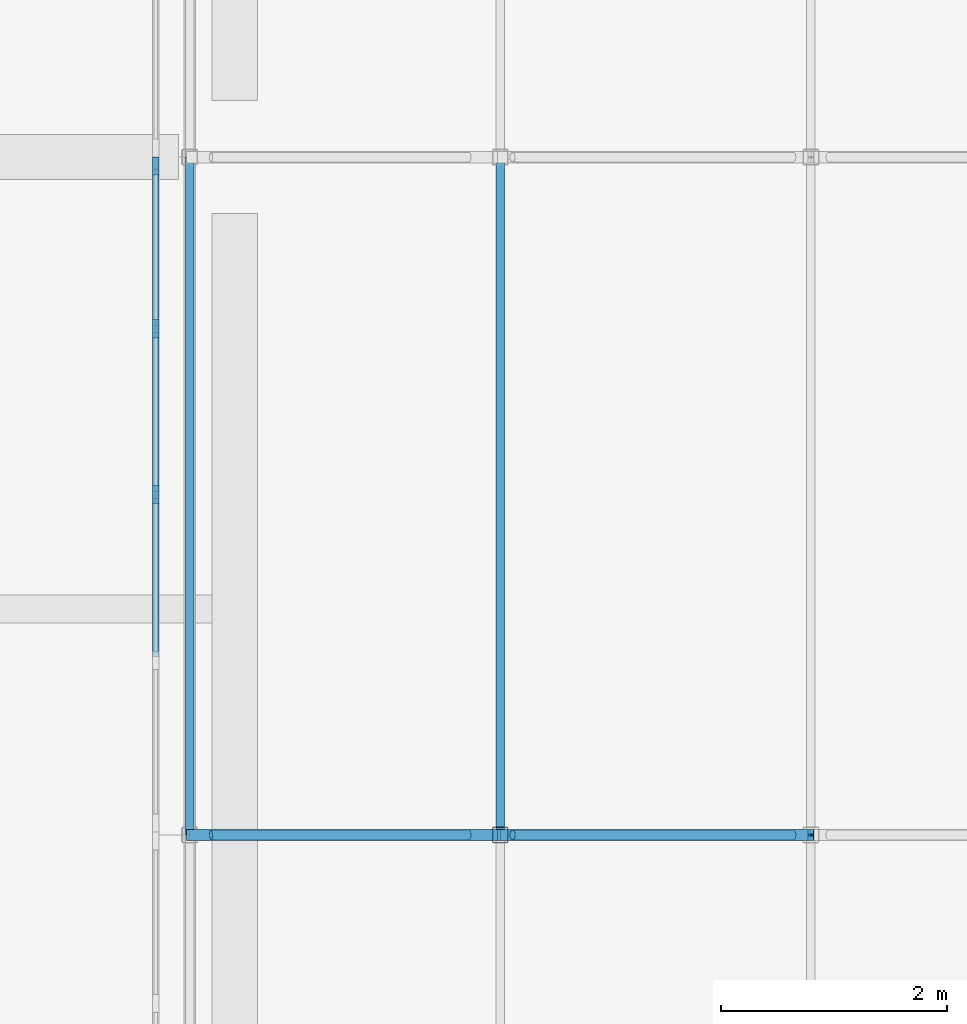
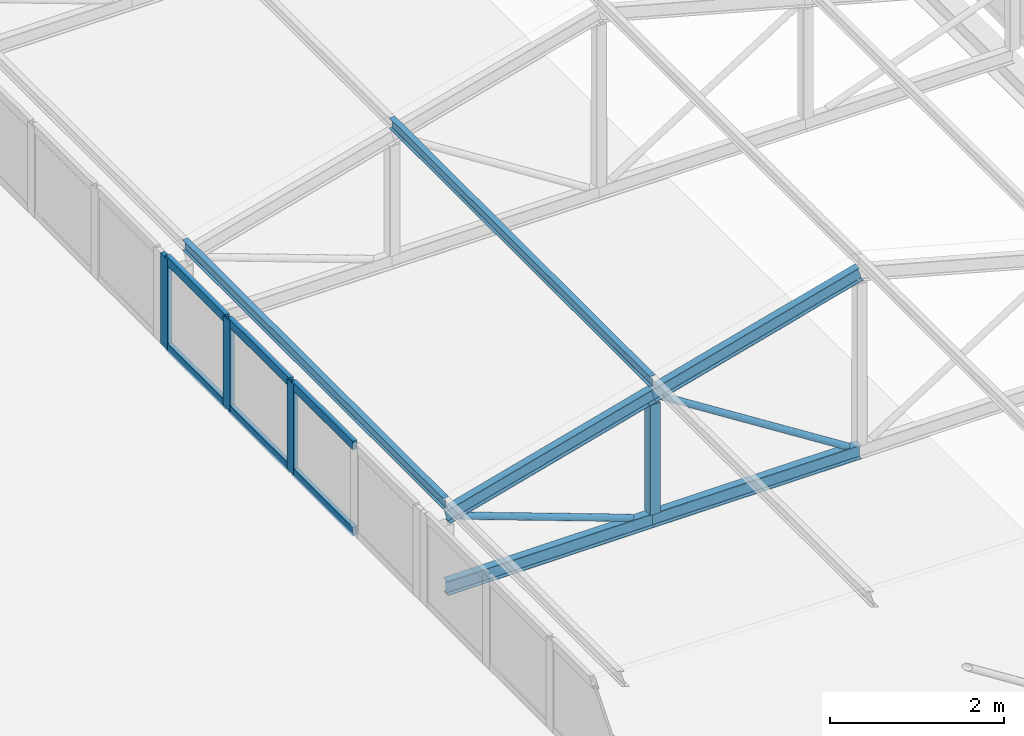
# One storey, part 29 of 94: 18 members, 1 element without a shape of its own.
"""IFC4 building model written with IfcOpenShell, lengths in metres."""

import ifcopenshell
import ifcopenshell.guid

model = None  # the IFC model being written
_history = None  # IfcOwnerHistory: only IFC2X3 demands one
_inside = {}  # id of a spatial element -> (the spatial element, [elements in it])
_under = {}  # id of a project, library or spatial element -> (it, [spatial elements below it])
_declared = {}  # id of a project -> (the project, [libraries it declares])
_typed = {}  # id of a type object -> (the type object, [elements of that type])
_made_of = {}  # id of a material, layer set ... -> (it, [elements and type objects made of it])


def new_model(schema):
    """Start an empty IFC model of exactly this schema.

    Asked for "IFC4X3", IfcOpenShell would pick the latest addendum, in which some entities
    have other attributes; the version numbers below select the first issue.
    IFC2X3 requires an IfcOwnerHistory on every rooted entity: one is made here for all.
    """
    global model, _history
    if schema == "IFC4X3":
        model = ifcopenshell.file(schema_version=(4, 3, 0, 0))
    else:
        model = ifcopenshell.file(schema=schema)
    _inside.clear()
    _under.clear()
    _declared.clear()
    _typed.clear()
    _made_of.clear()
    _history = None
    if model.schema == "IFC2X3":
        org = make("IfcOrganization", Name="unknown")
        user = make(
            "IfcPersonAndOrganization",
            ThePerson=make("IfcPerson", FamilyName="unknown"),
            TheOrganization=org,
        )
        app = make(
            "IfcApplication",
            ApplicationDeveloper=org,
            Version="unknown",
            ApplicationFullName="unknown",
            ApplicationIdentifier="unknown",
        )
        _history = make(
            "IfcOwnerHistory",
            OwningUser=user,
            OwningApplication=app,
            ChangeAction="ADDED",
            CreationDate=0,
        )
    return model


def make(cls, **values):
    """One entity of the class cls with the attributes given. An attribute that is None is left unset."""
    return model.create_entity(
        cls, **{name: value for name, value in values.items() if value is not None}
    )


def rooted(cls, **values):
    """An entity with a GlobalId (a new one), such as an element, a storey or a relation."""
    return make(cls, GlobalId=ifcopenshell.guid.new(), OwnerHistory=_history, **values)


def si_unit(unit_type, name, prefix=None):
    """IfcSIUnit, for example si_unit("LENGTHUNIT", "METRE", prefix="MILLI")."""
    return make("IfcSIUnit", UnitType=unit_type, Prefix=prefix, Name=name)


def assignment(units):
    """IfcUnitAssignment: the units of a project."""
    return None if units is None else make("IfcUnitAssignment", Units=units)


def point(xyz):
    """IfcCartesianPoint."""
    return None if xyz is None else make("IfcCartesianPoint", Coordinates=xyz)


def direction(xyz):
    """IfcDirection."""
    return None if xyz is None else make("IfcDirection", DirectionRatios=xyz)


def frame(location, z_axis=None, x_axis=None):
    """IfcAxis2Placement3D, a coordinate frame: its origin and axes. An axis left out is left unset."""
    return make(
        "IfcAxis2Placement3D",
        Location=point(location),
        Axis=direction(z_axis),
        RefDirection=direction(x_axis),
    )


def frame_2d(location, x_axis=None):
    """IfcAxis2Placement2D, a coordinate frame in the plane: its origin and x axis."""
    return make(
        "IfcAxis2Placement2D", Location=point(location), RefDirection=direction(x_axis)
    )


def origin():
    """The frame at (0, 0, 0) with its axes left unset."""
    return frame((0.0, 0.0, 0.0))


def origin_2d():
    """The frame at (0, 0) in the plane with its x axis left unset."""
    return frame_2d((0.0, 0.0))


def place(relative_to, where):
    """IfcLocalPlacement: puts the frame where relative to a parent placement (None: the world)."""
    return make(
        "IfcLocalPlacement", PlacementRelTo=relative_to, RelativePlacement=where
    )


def context(
    kind, dimensions, precision=None, world=None, true_north=None, identifier=None
):
    """IfcGeometricRepresentationContext, for example the 3D "Model" context."""
    return make(
        "IfcGeometricRepresentationContext",
        ContextIdentifier=identifier,
        ContextType=kind,
        CoordinateSpaceDimension=dimensions,
        Precision=precision,
        WorldCoordinateSystem=world,
        TrueNorth=true_north,
    )


def subcontext(parent, identifier, kind, view, scale=None):
    """IfcGeometricRepresentationSubContext, for example "Body" below "Model"."""
    return make(
        "IfcGeometricRepresentationSubContext",
        ContextIdentifier=identifier,
        ContextType=kind,
        ParentContext=parent,
        TargetScale=scale,
        TargetView=view,
    )


def project(units=None, contexts=None):
    """IfcProject with its units and contexts."""
    return rooted(
        "IfcProject",
        Name="project",
        RepresentationContexts=contexts,
        UnitsInContext=assignment(units),
    )


def spatial(cls, under=None, at=None, **own):
    """A site, building, storey or space (cls), placed at a placement, below another one or the project."""
    s = rooted(cls, ObjectPlacement=at, **own)
    if under is not None:
        _under.setdefault(under.id(), (under, []))[1].append(s)
    return s


def profile(cls, at=None, kind="AREA", **sizes):
    """A parametric profile (cls). Its sizes go by their IFC names, for example OverallWidth=200.0."""
    return make(cls, ProfileType=kind, Position=at, **sizes)


def rectangle(**sizes):
    """IfcRectangleProfileDef."""
    return profile("IfcRectangleProfileDef", **sizes)


def hollow_rectangle(**sizes):
    """IfcRectangleHollowProfileDef."""
    return profile("IfcRectangleHollowProfileDef", **sizes)


def hollow_circle(**sizes):
    """IfcCircleHollowProfileDef."""
    return profile("IfcCircleHollowProfileDef", **sizes)


def i_section(**sizes):
    """IfcIShapeProfileDef."""
    return profile("IfcIShapeProfileDef", **sizes)


def extrude(swept, where, along, depth):
    """IfcExtrudedAreaSolid: the profile swept, set in the frame where, extruded along a direction by depth."""
    return make(
        "IfcExtrudedAreaSolid",
        SweptArea=swept,
        Position=where,
        ExtrudedDirection=direction(along),
        Depth=depth,
    )


def shape(context_of_items, identifier, shape_type, items):
    """IfcShapeRepresentation: the items that make up one representation, for example the "Body"."""
    return make(
        "IfcShapeRepresentation",
        ContextOfItems=context_of_items,
        RepresentationIdentifier=identifier,
        RepresentationType=shape_type,
        Items=items,
    )


def material(Name=None, Category=None):
    """IfcMaterial."""
    return make("IfcMaterial", Name=Name, Category=Category)


def layer(
    of_material, thickness, ventilated=None, Name=None, Category=None, Priority=None
):
    """IfcMaterialLayer: one layer of a wall or slab, of a material (None: an air gap)."""
    return make(
        "IfcMaterialLayer",
        Material=of_material,
        LayerThickness=thickness,
        IsVentilated=ventilated,
        Name=Name,
        Category=Category,
        Priority=Priority,
    )


def layer_set(layers, Name=None):
    """IfcMaterialLayerSet."""
    return make("IfcMaterialLayerSet", MaterialLayers=layers, LayerSetName=Name)


def material_profile(
    of_material, cross_section, Name=None, Category=None, Priority=None
):
    """IfcMaterialProfile: a cross section and its material."""
    return make(
        "IfcMaterialProfile",
        Name=Name,
        Material=of_material,
        Profile=cross_section,
        Priority=Priority,
        Category=Category,
    )


def profile_set(profiles, Name=None, composite=None):
    """IfcMaterialProfileSet."""
    return make(
        "IfcMaterialProfileSet",
        Name=Name,
        MaterialProfiles=profiles,
        CompositeProfile=composite,
    )


def made_of(thing, what):
    """Note that an element or type object is made of a material, layer set ...; save() writes the relation."""
    if what is not None:
        _made_of.setdefault(what.id(), (what, []))[1].append(thing)
    return thing


def type_object(cls, material=None, **own):
    """A type object (cls), such as IfcWallType, which elements share."""
    return made_of(rooted(cls, **own), material)


def element(
    cls,
    number,
    at=None,
    inside=None,
    cuts=None,
    type_object=None,
    material=None,
    context=None,
    identifier="Body",
    shape_type=None,
    held_by="IfcProductDefinitionShape",
    body=None,
    shapes=None,
    **own,
):
    """One element of the class cls, such as IfcWall. Its Tag is "e" and its number.

    at: its placement. inside: the storey or other place that contains it. cuts: it is an
    opening in that element (IfcRelVoidsElement). A single representation is given by context,
    identifier, shape_type and body (its items); several are given by shapes. held_by: the class
    of the entity that holds the representations. save() writes the other relations.
    """
    e = rooted(cls, Tag="e%d" % number, ObjectPlacement=at, **own)
    if body is not None:
        shapes = [shape(context, identifier, shape_type, body)]
    if shapes is not None:
        e.Representation = make(held_by, Representations=shapes)
    if inside is not None:
        _inside.setdefault(inside.id(), (inside, []))[1].append(e)
    if cuts is not None:
        rooted(
            "IfcRelVoidsElement", RelatingBuildingElement=cuts, RelatedOpeningElement=e
        )
    if type_object is not None:
        _typed.setdefault(type_object.id(), (type_object, []))[1].append(e)
    return made_of(e, material)


def aggregate(whole, parts):
    """IfcRelAggregates: a whole, such as a stair, and the parts it consists of."""
    return rooted("IfcRelAggregates", RelatingObject=whole, RelatedObjects=parts)


def save(model, path):
    """Write the relations noted so far, then the file.

    IfcRelAggregates (storeys below a building ...), IfcRelContainedInSpatialStructure (elements
    in a storey), IfcRelDefinesByType, IfcRelAssociatesMaterial and IfcRelDeclares: one each for
    every whole, place, type object, material and project.
    """
    for whole, parts in _under.values():
        aggregate(whole, parts)
    for where, things in _inside.values():
        rooted(
            "IfcRelContainedInSpatialStructure",
            RelatedElements=things,
            RelatingStructure=where,
        )
    for kind, things in _typed.values():
        rooted("IfcRelDefinesByType", RelatedObjects=things, RelatingType=kind)
    for what, things in _made_of.values():
        rooted("IfcRelAssociatesMaterial", RelatedObjects=things, RelatingMaterial=what)
    for by, libraries in _declared.values():
        rooted("IfcRelDeclares", RelatingContext=by, RelatedDefinitions=libraries)
    model.write(path)


model = new_model("IFC4")

# Units and contexts
model_context = context("Model", 3, precision=1e-05, world=origin(), true_north=direction((0.0, 1.0)))
body_context = subcontext(model_context, "Body", "Model", "MODEL_VIEW")
ifc_project = project(units=[si_unit("LENGTHUNIT", "METRE"), si_unit("AREAUNIT", "SQUARE_METRE"), si_unit("VOLUMEUNIT", "CUBIC_METRE"), si_unit("PLANEANGLEUNIT", "RADIAN"), si_unit("MASSUNIT", "GRAM", prefix="KILO")], contexts=[model_context])

# Site, building, storey
site_placement = place(None, origin())
site = spatial("IfcSite", under=ifc_project, at=site_placement, CompositionType="ELEMENT")
building_placement = place(site_placement, origin())
building = spatial("IfcBuilding", under=site, at=building_placement, Name="Lilac Gate Convention Centre", CompositionType="ELEMENT")
storey_placement = place(building_placement, frame((0.0, 0.0, 21.0)))
storey = spatial("IfcBuildingStorey", under=building, at=storey_placement, Name="L04", CompositionType="ELEMENT", Elevation=21.0)

# Curtain wall, members
ifc_material_1 = material(Name="Aluminium framed double glazing", Category="aluminium")
ifc_layer = layer(ifc_material_1, 0.199951171875)
ifc_layer_set = layer_set([ifc_layer], Name="Aluminium framed double glazing")
curtain_wall_type = type_object("IfcCurtainWallType", Name="Unitised curtain wall 1500", PredefinedType="NOTDEFINED", material=ifc_layer_set)
curtain_wall_placement = place(storey_placement, origin())
curtain_wall = element("IfcCurtainWall", 1, at=curtain_wall_placement, inside=storey, type_object=curtain_wall_type, Name="Lantern clerestory W 16", PredefinedType="NOTDEFINED")
ifc_material_2 = material(Name="Aluminium alloy 6063", Category="aluminium")
ifc_material_profile_1 = material_profile(ifc_material_2, rectangle(XDim=0.06005859375, YDim=0.159912109375, at=origin_2d()), Name="Curtain wall mullion 60 x 160")
ifc_profile_set_1 = profile_set([ifc_material_profile_1], Name="Aluminium alloy 6063")
member_type_1 = type_object("IfcMemberType", Name="Curtain wall mullion 60 x 160", PredefinedType="MULLION", material=ifc_profile_set_1)
member_1_placement = place(storey_placement, frame((17.300048828125, 123.012451171875, 0.0), z_axis=(0.0, 0.0, 1.0), x_axis=(-1.0, 0.0, 0.0)))
member_1 = element("IfcMember", 2, at=member_1_placement, type_object=member_type_1, Name="CW mullion 3", PredefinedType="MULLION", context=body_context, shape_type="SweptSolid", body=[
    extrude(rectangle(XDim=0.06005859375, YDim=0.159912109375, at=origin_2d()), origin(), (0.0, 0.0, 1.0), 1.272216796875),
])
member_2_placement = place(storey_placement, frame((17.300048828125, 124.481201171875, 0.0), z_axis=(0.0, 0.0, 1.0), x_axis=(-1.0, 0.0, 0.0)))
member_2 = element("IfcMember", 3, at=member_2_placement, type_object=member_type_1, Name="CW mullion 4", PredefinedType="MULLION", context=body_context, shape_type="SweptSolid", body=[
    extrude(rectangle(XDim=0.06005859375, YDim=0.159912109375, at=origin_2d()), origin(), (0.0, 0.0, 1.0), 1.272216796875),
])
member_3_placement = place(storey_placement, frame((17.300048828125, 125.919921875, 0.0), z_axis=(0.0, 0.0, 1.0), x_axis=(-1.0, 0.0, 0.0)))
member_3 = element("IfcMember", 4, at=member_3_placement, type_object=member_type_1, Name="CW mullion 5", PredefinedType="MULLION", context=body_context, shape_type="SweptSolid", body=[
    extrude(rectangle(XDim=0.06005859375, YDim=0.159912109375, at=origin_2d()), origin(), (0.0, 0.0, 1.0), 1.272216796875),
])
ifc_material_profile_2 = material_profile(ifc_material_2, rectangle(XDim=0.06005859375, YDim=0.1201171875, at=origin_2d()), Name="Curtain wall transom 60 x 120")
ifc_profile_set_2 = profile_set([ifc_material_profile_2], Name="Aluminium alloy 6063")
member_type_2 = type_object("IfcMemberType", Name="Curtain wall transom 60 x 120", PredefinedType="USERDEFINED", material=ifc_profile_set_2)
member_4_placement = place(storey_placement, frame((17.300048828125, 121.57373046875, 0.030029296875), z_axis=(0.0, 1.0, 0.0), x_axis=(-1.0, 0.0, 0.0)))
member_4 = element("IfcMember", 5, at=member_4_placement, type_object=member_type_2, Name="CW transom 2.1", ObjectType="TRANSOM", PredefinedType="USERDEFINED", context=body_context, shape_type="SweptSolid", body=[
    extrude(rectangle(XDim=0.06005859375, YDim=0.1201171875, at=origin_2d()), origin(), (0.0, 0.0, 1.0), 1.40869140625),
])
member_5_placement = place(storey_placement, frame((17.300048828125, 121.57373046875, 1.2421875), z_axis=(0.0, 1.0, 0.0), x_axis=(-1.0, 0.0, 0.0)))
member_5 = element("IfcMember", 6, at=member_5_placement, type_object=member_type_2, Name="CW transom 2.2", ObjectType="TRANSOM", PredefinedType="USERDEFINED", context=body_context, shape_type="SweptSolid", body=[
    extrude(rectangle(XDim=0.06005859375, YDim=0.1201171875, at=origin_2d()), origin(), (0.0, 0.0, 1.0), 1.40869140625),
])
member_6_placement = place(storey_placement, frame((17.300048828125, 123.04248046875, 0.030029296875), z_axis=(0.0, 1.0, 0.0), x_axis=(-1.0, 0.0, 0.0)))
member_6 = element("IfcMember", 7, at=member_6_placement, type_object=member_type_2, Name="CW transom 3.1", ObjectType="TRANSOM", PredefinedType="USERDEFINED", context=body_context, shape_type="SweptSolid", body=[
    extrude(rectangle(XDim=0.06005859375, YDim=0.1201171875, at=origin_2d()), origin(), (0.0, 0.0, 1.0), 1.40869140625),
])
member_7_placement = place(storey_placement, frame((17.300048828125, 123.04248046875, 1.2421875), z_axis=(0.0, 1.0, 0.0), x_axis=(-1.0, 0.0, 0.0)))
member_7 = element("IfcMember", 8, at=member_7_placement, type_object=member_type_2, Name="CW transom 3.2", ObjectType="TRANSOM", PredefinedType="USERDEFINED", context=body_context, shape_type="SweptSolid", body=[
    extrude(rectangle(XDim=0.06005859375, YDim=0.1201171875, at=origin_2d()), origin(), (0.0, 0.0, 1.0), 1.40869140625),
])
member_8_placement = place(storey_placement, frame((17.300048828125, 124.51123046875, 0.030029296875), z_axis=(0.0, 1.0, 0.0), x_axis=(-1.0, 0.0, 0.0)))
member_8 = element("IfcMember", 9, at=member_8_placement, type_object=member_type_2, Name="CW transom 4.1", ObjectType="TRANSOM", PredefinedType="USERDEFINED", context=body_context, shape_type="SweptSolid", body=[
    extrude(rectangle(XDim=0.06005859375, YDim=0.1201171875, at=origin_2d()), origin(), (0.0, 0.0, 1.0), 1.378662109375),
])
member_9_placement = place(storey_placement, frame((17.300048828125, 124.51123046875, 1.2421875), z_axis=(0.0, 1.0, 0.0), x_axis=(-1.0, 0.0, 0.0)))
member_9 = element("IfcMember", 10, at=member_9_placement, type_object=member_type_2, Name="CW transom 4.2", ObjectType="TRANSOM", PredefinedType="USERDEFINED", context=body_context, shape_type="SweptSolid", body=[
    extrude(rectangle(XDim=0.06005859375, YDim=0.1201171875, at=origin_2d()), origin(), (0.0, 0.0, 1.0), 1.378662109375),
])
aggregate(curtain_wall, [member_1, member_2, member_3, member_4, member_5, member_6, member_7, member_8, member_9])

# Members
ifc_material_3 = material(Name="Steel Q355B", Category="steel")
ifc_material_profile_3 = material_profile(ifc_material_3, i_section(OverallWidth=0.10009765625, OverallDepth=0.199951171875, WebThickness=0.005615234375, FlangeThickness=0.008056640625, FilletRadius=0.008056640625, at=origin_2d()), Name="HN200x100x5.5x8")
ifc_profile_set_3 = profile_set([ifc_material_profile_3], Name="Steel Q355B")
member_type_3 = type_object("IfcMemberType", Name="Lantern bottom chord HN200x100x5.5x8", PredefinedType="CHORD", material=ifc_profile_set_3)
for number, where, z_axis, x_axis, name in (
    (11, (17.60009765625, 120.0, 0.10009765625), (1.0, 0.0, 0.0), (0.0, 1.0, 0.0), "LB1 lantern truss 16 bottom chord 1"),
    (12, (20.35009765625, 120.0, 0.10009765625), (1.0, 0.0, 0.0), (0.0, 1.0, 0.0), "LB1 lantern truss 16 bottom chord 2"),
):
    element("IfcMember", number, at=place(storey_placement, frame(where, z_axis=z_axis, x_axis=x_axis)), inside=storey, type_object=member_type_3, Name=name, PredefinedType="CHORD", context=body_context, shape_type="SweptSolid", body=[
        extrude(i_section(OverallWidth=0.10009765625, OverallDepth=0.199951171875, WebThickness=0.005615234375, FlangeThickness=0.008056640625, FilletRadius=0.008056640625, at=origin_2d()), origin(), (0.0, 0.0, 1.0), 2.75),
    ])
ifc_material_profile_4 = material_profile(ifc_material_3, hollow_circle(Radius=0.04443359375, WallThickness=0.0048828125, at=origin_2d()), Name="CHS88.9x5")
ifc_profile_set_4 = profile_set([ifc_material_profile_4], Name="Steel Q355B")
member_type_4 = type_object("IfcMemberType", Name="Lantern diagonal CHS88.9x5", PredefinedType="BRACE", material=ifc_profile_set_4)
member_10_placement = place(storey_placement, frame((17.789794921875, 120.0, 1.031005859375), z_axis=(0.939781696917, 0.0, -0.341775309434), x_axis=(0.0, 1.0, 0.0)))
element("IfcMember", 13, at=member_10_placement, inside=storey, type_object=member_type_4, Name="LW1 lantern truss 16 diagonal 1", PredefinedType="BRACE", context=body_context, shape_type="SweptSolid", body=[
    extrude(hollow_circle(Radius=0.04443359375, WallThickness=0.0048828125, at=origin_2d()), origin(), (0.0, 0.0, 1.0), 2.431640625),
])
member_11_placement = place(storey_placement, frame((20.45849609375, 120.0, 1.781005859375), z_axis=(0.843647832412, 0.0, -0.536896949951), x_axis=(0.0, 1.0, 0.0)))
element("IfcMember", 14, at=member_11_placement, inside=storey, type_object=member_type_4, Name="LW1 lantern truss 16 diagonal 2", PredefinedType="BRACE", context=body_context, shape_type="SweptSolid", body=[
    extrude(hollow_circle(Radius=0.04443359375, WallThickness=0.0048828125, at=origin_2d()), origin(), (0.0, 0.0, 1.0), 2.94482421875),
])
ifc_material_profile_5 = material_profile(ifc_material_3, hollow_rectangle(XDim=0.139892578125, YDim=0.139892578125, WallThickness=0.0048828125, InnerFilletRadius=0.0048828125, OuterFilletRadius=0.010009765625, at=origin_2d()), Name="SHS140x140x5")
ifc_profile_set_5 = profile_set([ifc_material_profile_5], Name="Steel Q355B")
member_type_5 = type_object("IfcMemberType", Name="Lantern post SHS140x140x5", PredefinedType="STRUT", material=ifc_profile_set_5)
member_12_placement = place(storey_placement, frame((20.35009765625, 120.0, 0.199951171875), z_axis=(0.0, 0.0, 1.0), x_axis=(1.0, 0.0, 0.0)))
element("IfcMember", 15, at=member_12_placement, inside=storey, type_object=member_type_5, Name="LV1 lantern truss 16 post 2", PredefinedType="STRUT", context=body_context, shape_type="SweptSolid", body=[
    extrude(hollow_rectangle(XDim=0.139892578125, YDim=0.139892578125, WallThickness=0.0048828125, InnerFilletRadius=0.0048828125, OuterFilletRadius=0.010009765625, at=origin_2d()), origin(), (0.0, 0.0, 1.0), 1.546142578125),
])
ifc_material_profile_6 = material_profile(ifc_material_3, i_section(OverallWidth=0.074951171875, OverallDepth=0.14990234375, WebThickness=0.0048828125, FlangeThickness=0.007080078125, FilletRadius=0.008056640625, at=origin_2d()), Name="HN150x75x5x7")
ifc_profile_set_6 = profile_set([ifc_material_profile_6], Name="Steel Q355B")
member_type_6 = type_object("IfcMemberType", Name="Lantern purlin HN150x75x5x7", PredefinedType="PURLIN", material=ifc_profile_set_6)
for number, where, z_axis, x_axis, name in (
    (16, (17.60009765625, 120.0, 1.279052734375), (0.0, 1.0, 0.0), (-1.0, 0.0, 0.0), "LP1 lantern purlin bay 16 line 1"),
    (17, (20.35009765625, 120.0, 2.029052734375), (0.0, 1.0, 0.0), (-1.0, 0.0, 0.0), "LP1 lantern purlin bay 16 line 2"),
):
    element("IfcMember", number, at=place(storey_placement, frame(where, z_axis=z_axis, x_axis=x_axis)), inside=storey, type_object=member_type_6, Name=name, PredefinedType="PURLIN", context=body_context, shape_type="SweptSolid", body=[
        extrude(i_section(OverallWidth=0.074951171875, OverallDepth=0.14990234375, WebThickness=0.0048828125, FlangeThickness=0.007080078125, FilletRadius=0.008056640625, at=origin_2d()), origin(), (0.0, 0.0, 1.0), 6.0),
    ])
ifc_material_profile_7 = material_profile(ifc_material_3, i_section(OverallWidth=0.10009765625, OverallDepth=0.199951171875, WebThickness=0.005615234375, FlangeThickness=0.008056640625, FilletRadius=0.008056640625, at=origin_2d()), Name="HN200x100x5.5x8")
ifc_profile_set_7 = profile_set([ifc_material_profile_7], Name="Steel Q355B")
member_type_7 = type_object("IfcMemberType", Name="Lantern top chord HN200x100x5.5x8", PredefinedType="CHORD", material=ifc_profile_set_7)
for number, where, z_axis, x_axis, name in (
    (18, (17.60009765625, 120.0, 1.10009765625), (0.964763821238, 0.0, 0.263117405792), (0.0, 1.0, 0.0), "LT1 lantern truss 16 top chord 1"),
    (19, (20.35009765625, 120.0, 1.85009765625), (0.964763821238, 0.0, 0.263117405792), (0.0, 1.0, 0.0), "LT1 lantern truss 16 top chord 2"),
):
    element("IfcMember", number, at=place(storey_placement, frame(where, z_axis=z_axis, x_axis=x_axis)), inside=storey, type_object=member_type_7, Name=name, PredefinedType="CHORD", context=body_context, shape_type="SweptSolid", body=[
        extrude(i_section(OverallWidth=0.10009765625, OverallDepth=0.199951171875, WebThickness=0.005615234375, FlangeThickness=0.008056640625, FilletRadius=0.008056640625, at=origin_2d()), origin(), (0.0, 0.0, 1.0), 2.850341796875),
    ])

save(model, "model.ifc")
